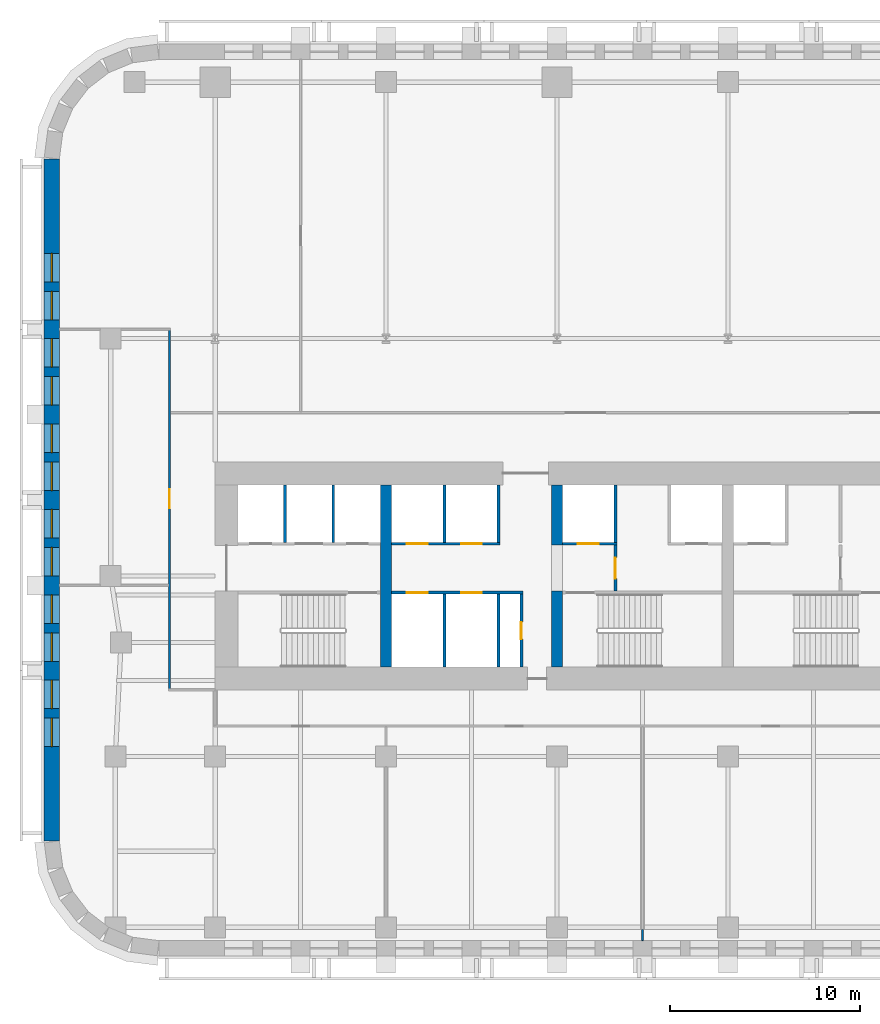
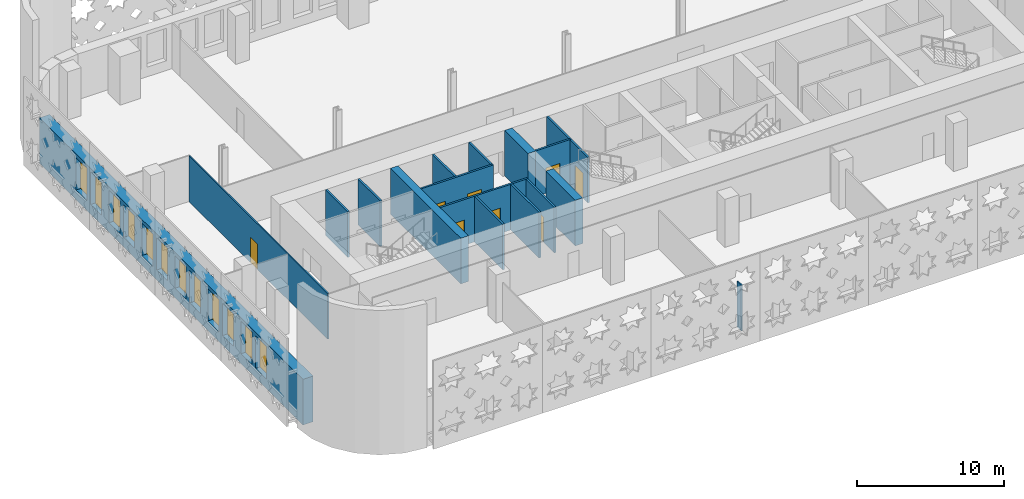
# One storey, part 3 of 13: 18 walls, 12 windows, 8 doors, 20 openings.
"""IFC4 building model written with IfcOpenShell, lengths in metres."""

from ifc_helpers import new_model, si_unit, direction, frame, frame_2d, origin, place, context, subcontext, project, spatial, rectangle, extrude, material, layer, layer_set, type_object, element, fill, save


model = new_model("IFC4")

# Units and contexts
model_context = context("Model", 3, precision=1e-05, world=origin(), true_north=direction((0.0, 1.0)))
body_context = subcontext(model_context, "Body", "Model", "MODEL_VIEW")
ifc_project = project(units=[si_unit("LENGTHUNIT", "METRE"), si_unit("AREAUNIT", "SQUARE_METRE"), si_unit("VOLUMEUNIT", "CUBIC_METRE"), si_unit("PLANEANGLEUNIT", "RADIAN"), si_unit("MASSUNIT", "GRAM", prefix="KILO")], contexts=[model_context])

# Site, building, storey
site_placement = place(None, origin())
site = spatial("IfcSite", under=ifc_project, at=site_placement, CompositionType="ELEMENT")
building_placement = place(site_placement, origin())
building = spatial("IfcBuilding", under=site, at=building_placement, Name="Zellij Exchange Tower", CompositionType="ELEMENT")
storey_placement = place(building_placement, frame((0.0, 0.0, 52.5)))
storey = spatial("IfcBuildingStorey", under=building, at=storey_placement, Name="L09", CompositionType="ELEMENT", Elevation=52.5)

# Walls
ifc_material_1 = material(Name="Concrete C70/85", Category="concrete")
ifc_layer_1 = layer(ifc_material_1, 0.60009765625)
ifc_layer_set_1 = layer_set([ifc_layer_1], Name="Concrete C70/85")
wall_type_1 = type_object("IfcWallType", Name="CORE-CW 600 C70/85", PredefinedType="SHEAR", material=ifc_layer_set_1)
wall_1_placement = place(storey_placement, frame((-18.0, -12.800048828125, 0.0), z_axis=(0.0, 0.0, 1.0), x_axis=(0.0, 1.0, 0.0)))
element("IfcWall", 1, at=wall_1_placement, inside=storey, type_object=wall_type_1, Name="Core cross wall x -18 L09", PredefinedType="SHEAR", context=body_context, shape_type="SweptSolid", body=[
    extrude(rectangle(XDim=9.60009765625, YDim=0.60009765625, at=frame_2d((4.800048828125, 0.0))), origin(), (0.0, 0.0, 1.0), 3.800048828125),
])
wall_2_placement = place(storey_placement, frame((-9.0, -12.800048828125, 0.0), z_axis=(0.0, 0.0, 1.0), x_axis=(0.0, 1.0, 0.0)))
element("IfcWall", 2, at=wall_2_placement, inside=storey, type_object=wall_type_1, Name="Core cross wall pier x -9 a L09", PredefinedType="SHEAR", context=body_context, shape_type="SweptSolid", body=[
    extrude(rectangle(XDim=4.0, YDim=0.60009765625, at=frame_2d((2.0, 0.0))), origin(), (0.0, 0.0, 1.0), 3.800048828125),
])
wall_3_placement = place(storey_placement, frame((-9.0, -6.375, 0.0), z_axis=(0.0, 0.0, 1.0), x_axis=(0.0, 1.0, 0.0)))
element("IfcWall", 3, at=wall_3_placement, inside=storey, type_object=wall_type_1, Name="Core cross wall pier x -9 b L09", PredefinedType="SHEAR", context=body_context, shape_type="SweptSolid", body=[
    extrude(rectangle(XDim=3.175048828125, YDim=0.60009765625, at=frame_2d((1.58740234375, 0.0))), origin(), (0.0, 0.0, 1.0), 3.800048828125),
])

# Wall, opening, door
ifc_material_2 = material(Name="Gypsum shaft wall system")
ifc_layer_2 = layer(ifc_material_2, 0.14990234375)
ifc_layer_set_2 = layer_set([ifc_layer_2], Name="Gypsum shaft wall system")
wall_type_2 = type_object("IfcWallType", Name="CORE-PW 150 Firefighting lobby wall", PredefinedType="PARTITIONING", material=ifc_layer_set_2)
wall_4_placement = place(storey_placement, frame((-5.925048828125, -8.800048828125, 0.0), z_axis=(0.0, 0.0, 1.0), x_axis=(0.0, 1.0, 0.0)))
wall_4 = element("IfcWall", 4, at=wall_4_placement, inside=storey, type_object=wall_type_2, Name="Firefighting lobby wall L09", PredefinedType="PARTITIONING", context=body_context, shape_type="SweptSolid", body=[
    extrude(rectangle(XDim=2.425048828125, YDim=0.14990234375, at=frame_2d((1.21240234375, 0.0))), origin(), (0.0, 0.0, 1.0), 3.800048828125),
])
opening_1_placement = place(wall_4_placement, frame((0.662109375, 0.0, 0.0)))
opening_1 = element("IfcOpeningElement", 5, at=opening_1_placement, cuts=wall_4, Name="Opening CA-07.15", PredefinedType="OPENING", context=body_context, shape_type="SweptSolid", body=[
    extrude(rectangle(XDim=1.10009765625, YDim=2.10009765625, at=frame_2d((0.550048828125, 1.050048828125))), frame((0.0, 0.0869140625, 0.0), z_axis=(0.0, -1.0, 0.0), x_axis=(1.0, 0.0, 0.0)), (0.0, 0.0, 1.0), 0.173828125),
])
ifc_material_3 = material(Name="Hollow metal fire door")
door_type_1 = type_object("IfcDoorType", Name="CORE-D F Firefighting lobby door 1100x2100 1 HR", OperationType="NOTDEFINED", PredefinedType="DOOR", material=ifc_material_3)
door_1_placement = place(opening_1_placement, origin())
door_1 = element("IfcDoor", 6, at=door_1_placement, inside=storey, type_object=door_type_1, Name="Firefighting lobby door CA-07.15", OperationType="SINGLE_SWING_LEFT", OverallHeight=2.10009765625, OverallWidth=1.10009765625, PredefinedType="DOOR", context=body_context, shape_type="SweptSolid", body=[
    extrude(rectangle(XDim=1.10009765625, YDim=2.10009765625, at=frame_2d((0.550048828125, 1.050048828125))), frame((0.0, 0.02490234375, 0.0), z_axis=(0.0, -1.0, 0.0), x_axis=(1.0, 0.0, 0.0)), (0.0, 0.0, 1.0), 0.050048828125),
])
fill(opening_1, door_1)

ifc_material_4 = material(Name="Gypsum board partition")
ifc_layer_3 = layer(ifc_material_4, 0.14990234375)
ifc_layer_set_3 = layer_set([ifc_layer_3], Name="Gypsum board partition")
wall_type_3 = type_object("IfcWallType", Name="CORE-PW 150 Lift lobby wall", PredefinedType="PARTITIONING", material=ifc_layer_set_3)
wall_5_placement = place(storey_placement, frame((-10.875, -12.800048828125, 0.0), z_axis=(0.0, 0.0, 1.0), x_axis=(0.0, 1.0, 0.0)))
wall_5 = element("IfcWall", 7, at=wall_5_placement, inside=storey, type_object=wall_type_3, Name="Lift lobby wall L09", PredefinedType="PARTITIONING", context=body_context, shape_type="SweptSolid", body=[
    extrude(rectangle(XDim=3.85009765625, YDim=0.14990234375, at=frame_2d((1.925048828125, 0.0))), origin(), (0.0, 0.0, 1.0), 3.800048828125),
])
opening_2_placement = place(wall_5_placement, frame((1.47509765625, 0.0, 0.0)))
opening_2 = element("IfcOpeningElement", 8, at=opening_2_placement, cuts=wall_5, Name="Opening CA-07.10", PredefinedType="OPENING", context=body_context, shape_type="SweptSolid", body=[
    extrude(rectangle(XDim=0.89990234375, YDim=2.10009765625, at=frame_2d((0.449951171875, 1.050048828125))), frame((0.0, 0.0869140625, 0.0), z_axis=(0.0, -1.0, 0.0), x_axis=(1.0, 0.0, 0.0)), (0.0, 0.0, 1.0), 0.173828125),
])
door_type_2 = type_object("IfcDoorType", Name="CORE-D RD Riser door 900x2100 1.5 HR", OperationType="NOTDEFINED", PredefinedType="DOOR", material=ifc_material_3)
door_2_placement = place(opening_2_placement, origin())
door_2 = element("IfcDoor", 9, at=door_2_placement, inside=storey, type_object=door_type_2, Name="Riser door CA-07.10", OperationType="SINGLE_SWING_RIGHT", OverallHeight=2.10009765625, OverallWidth=0.89990234375, PredefinedType="DOOR", context=body_context, shape_type="SweptSolid", body=[
    extrude(rectangle(XDim=0.89990234375, YDim=2.10009765625, at=frame_2d((0.449951171875, 1.050048828125))), frame((0.0, 0.02490234375, 0.0), z_axis=(0.0, -1.0, 0.0), x_axis=(1.0, 0.0, 0.0)), (0.0, 0.0, 1.0), 0.050048828125),
])
fill(opening_2, door_2)

# Walls
ifc_layer_4 = layer(ifc_material_2, 0.14990234375)
ifc_layer_set_4 = layer_set([ifc_layer_4], Name="Gypsum shaft wall system")
wall_type_4 = type_object("IfcWallType", Name="CORE-PW 150 Lift shaft wall", PredefinedType="PARTITIONING", material=ifc_layer_set_4)
for number, where, z_axis, x_axis, name in (
    (10, (-20.77490234375, -6.22509765625, 0.0), (0.0, 0.0, 1.0), (0.0, 1.0, 0.0), "Lift shaft wall L09"),
    (11, (-23.324951171875, -6.22509765625, 0.0), (0.0, 0.0, 1.0), (0.0, 1.0, 0.0), "Lift shaft wall L09"),
    (12, (-12.074951171875, -6.22509765625, 0.0), (0.0, 0.0, 1.0), (0.0, 1.0, 0.0), "Lift shaft wall L09"),
    (13, (-14.925048828125, -6.22509765625, 0.0), (0.0, 0.0, 1.0), (0.0, 1.0, 0.0), "Lift shaft wall L09"),
    (14, (-5.925048828125, -6.22509765625, 0.0), (0.0, 0.0, 1.0), (0.0, 1.0, 0.0), "Lift shaft wall L09"),
):
    element("IfcWall", number, at=place(storey_placement, frame(where, z_axis=z_axis, x_axis=x_axis)), inside=storey, type_object=wall_type_4, Name=name, PredefinedType="PARTITIONING", context=body_context, shape_type="SweptSolid", body=[
        extrude(rectangle(XDim=3.025146484375, YDim=0.14990234375, at=frame_2d((1.5126953125, 0.0))), origin(), (0.0, 0.0, 1.0), 3.800048828125),
    ])
for number, where, z_axis, x_axis, name in (
    (15, (-12.074951171875, -12.800048828125, 0.0), (0.0, 0.0, 1.0), (0.0, 1.0, 0.0), "Lift shaft wall L09"),
    (16, (-14.925048828125, -12.800048828125, 0.0), (0.0, 0.0, 1.0), (0.0, 1.0, 0.0), "Lift shaft wall L09"),
):
    element("IfcWall", number, at=place(storey_placement, frame(where, z_axis=z_axis, x_axis=x_axis)), inside=storey, type_object=wall_type_4, Name=name, PredefinedType="PARTITIONING", context=body_context, shape_type="SweptSolid", body=[
        extrude(rectangle(XDim=3.85009765625, YDim=0.14990234375, at=frame_2d((1.925048828125, 0.0))), origin(), (0.0, 0.0, 1.0), 3.800048828125),
    ])

# Wall, openings, doors
wall_6_placement = place(storey_placement, frame((-17.699951171875, -6.300048828125, 0.0), z_axis=(0.0, 0.0, 1.0), x_axis=(1.0, 0.0, 0.0)))
wall_6 = element("IfcWall", 17, at=wall_6_placement, inside=storey, type_object=wall_type_4, Name="Lift shaft wall L09", PredefinedType="PARTITIONING", context=body_context, shape_type="SweptSolid", body=[
    extrude(rectangle(XDim=5.699951171875, YDim=0.14990234375, at=frame_2d((2.85009765625, 0.0))), origin(), (0.0, 0.0, 1.0), 3.800048828125),
])
opening_3_placement = place(wall_6_placement, frame((0.800048828125, 0.0, 0.0)))
opening_3 = element("IfcOpeningElement", 18, at=opening_3_placement, cuts=wall_6, Name="Opening CA-07.07", PredefinedType="OPENING", context=body_context, shape_type="SweptSolid", body=[
    extrude(rectangle(XDim=1.10009765625, YDim=2.10009765625, at=frame_2d((0.550048828125, 1.050048828125))), frame((0.0, 0.0869140625, 0.0), z_axis=(0.0, -1.0, 0.0), x_axis=(1.0, 0.0, 0.0)), (0.0, 0.0, 1.0), 0.173828125),
])
opening_4_placement = place(wall_6_placement, frame((3.64990234375, 0.0, 0.0)))
opening_4 = element("IfcOpeningElement", 19, at=opening_4_placement, cuts=wall_6, Name="Opening CA-07.09", PredefinedType="OPENING", context=body_context, shape_type="SweptSolid", body=[
    extrude(rectangle(XDim=1.10009765625, YDim=2.10009765625, at=frame_2d((0.550048828125, 1.050048828125))), frame((0.0, 0.0869140625, 0.0), z_axis=(0.0, -1.0, 0.0), x_axis=(1.0, 0.0, 0.0)), (0.0, 0.0, 1.0), 0.173828125),
])
door_type_3 = type_object("IfcDoorType", Name="CORE-D LD Lift landing door 1100x2100 1.5 HR", OperationType="NOTDEFINED", PredefinedType="DOOR", material=ifc_material_3)
door_3_placement = place(opening_3_placement, origin())
door_3 = element("IfcDoor", 20, at=door_3_placement, inside=storey, type_object=door_type_3, Name="Lift landing door CA-07.07", OperationType="SLIDING_TO_LEFT", OverallHeight=2.10009765625, OverallWidth=1.10009765625, PredefinedType="DOOR", context=body_context, shape_type="SweptSolid", body=[
    extrude(rectangle(XDim=1.10009765625, YDim=2.10009765625, at=frame_2d((0.550048828125, 1.050048828125))), frame((0.0, 0.02490234375, 0.0), z_axis=(0.0, -1.0, 0.0), x_axis=(1.0, 0.0, 0.0)), (0.0, 0.0, 1.0), 0.050048828125),
])
fill(opening_3, door_3)
door_4_placement = place(opening_4_placement, origin())
door_4 = element("IfcDoor", 21, at=door_4_placement, inside=storey, type_object=door_type_3, Name="Lift landing door CA-07.09", OperationType="SLIDING_TO_LEFT", OverallHeight=2.10009765625, OverallWidth=1.10009765625, PredefinedType="DOOR", context=body_context, shape_type="SweptSolid", body=[
    extrude(rectangle(XDim=1.10009765625, YDim=2.10009765625, at=frame_2d((0.550048828125, 1.050048828125))), frame((0.0, 0.02490234375, 0.0), z_axis=(0.0, -1.0, 0.0), x_axis=(1.0, 0.0, 0.0)), (0.0, 0.0, 1.0), 0.050048828125),
])
fill(opening_4, door_4)

# Wall, opening, door
wall_7_placement = place(storey_placement, frame((-8.699951171875, -6.300048828125, 0.0), z_axis=(0.0, 0.0, 1.0), x_axis=(1.0, 0.0, 0.0)))
wall_7 = element("IfcWall", 22, at=wall_7_placement, inside=storey, type_object=wall_type_4, Name="Lift shaft wall L09", PredefinedType="PARTITIONING", context=body_context, shape_type="SweptSolid", body=[
    extrude(rectangle(XDim=2.849853515625, YDim=0.14990234375, at=frame_2d((1.4248046875, 0.0))), origin(), (0.0, 0.0, 1.0), 3.800048828125),
])
opening_5_placement = place(wall_7_placement, frame((0.800048828125, 0.0, 0.0)))
opening_5 = element("IfcOpeningElement", 23, at=opening_5_placement, cuts=wall_7, Name="Opening CA-07.14", PredefinedType="OPENING", context=body_context, shape_type="SweptSolid", body=[
    extrude(rectangle(XDim=1.10009765625, YDim=2.10009765625, at=frame_2d((0.550048828125, 1.050048828125))), frame((0.0, 0.0869140625, 0.0), z_axis=(0.0, -1.0, 0.0), x_axis=(1.0, 0.0, 0.0)), (0.0, 0.0, 1.0), 0.173828125),
])
door_5_placement = place(opening_5_placement, origin())
door_5 = element("IfcDoor", 24, at=door_5_placement, inside=storey, type_object=door_type_3, Name="Lift landing door CA-07.14", OperationType="SLIDING_TO_RIGHT", OverallHeight=2.10009765625, OverallWidth=1.10009765625, PredefinedType="DOOR", context=body_context, shape_type="SweptSolid", body=[
    extrude(rectangle(XDim=1.10009765625, YDim=2.10009765625, at=frame_2d((0.550048828125, 1.050048828125))), frame((0.0, 0.02490234375, 0.0), z_axis=(0.0, -1.0, 0.0), x_axis=(1.0, 0.0, 0.0)), (0.0, 0.0, 1.0), 0.050048828125),
])
fill(opening_5, door_5)

# Wall, openings, doors
wall_8_placement = place(storey_placement, frame((-17.699951171875, -8.875, 0.0), z_axis=(0.0, 0.0, 1.0), x_axis=(1.0, 0.0, 0.0)))
wall_8 = element("IfcWall", 25, at=wall_8_placement, inside=storey, type_object=wall_type_4, Name="Lift shaft wall L09", PredefinedType="PARTITIONING", context=body_context, shape_type="SweptSolid", body=[
    extrude(rectangle(XDim=6.89990234375, YDim=0.14990234375, at=frame_2d((3.449951171875, 0.0))), origin(), (0.0, 0.0, 1.0), 3.800048828125),
])
opening_6_placement = place(wall_8_placement, frame((0.800048828125, 0.0, 0.0)))
opening_6 = element("IfcOpeningElement", 26, at=opening_6_placement, cuts=wall_8, Name="Opening CA-07.06", PredefinedType="OPENING", context=body_context, shape_type="SweptSolid", body=[
    extrude(rectangle(XDim=1.10009765625, YDim=2.10009765625, at=frame_2d((0.550048828125, 1.050048828125))), frame((0.0, 0.0869140625, 0.0), z_axis=(0.0, -1.0, 0.0), x_axis=(1.0, 0.0, 0.0)), (0.0, 0.0, 1.0), 0.173828125),
])
opening_7_placement = place(wall_8_placement, frame((3.64990234375, 0.0, 0.0)))
opening_7 = element("IfcOpeningElement", 27, at=opening_7_placement, cuts=wall_8, Name="Opening CA-07.08", PredefinedType="OPENING", context=body_context, shape_type="SweptSolid", body=[
    extrude(rectangle(XDim=1.10009765625, YDim=2.10009765625, at=frame_2d((0.550048828125, 1.050048828125))), frame((0.0, 0.0869140625, 0.0), z_axis=(0.0, -1.0, 0.0), x_axis=(1.0, 0.0, 0.0)), (0.0, 0.0, 1.0), 0.173828125),
])
door_6_placement = place(opening_6_placement, origin())
door_6 = element("IfcDoor", 28, at=door_6_placement, inside=storey, type_object=door_type_3, Name="Lift landing door CA-07.06", OperationType="SLIDING_TO_RIGHT", OverallHeight=2.10009765625, OverallWidth=1.10009765625, PredefinedType="DOOR", context=body_context, shape_type="SweptSolid", body=[
    extrude(rectangle(XDim=1.10009765625, YDim=2.10009765625, at=frame_2d((0.550048828125, 1.050048828125))), frame((0.0, 0.02490234375, 0.0), z_axis=(0.0, -1.0, 0.0), x_axis=(1.0, 0.0, 0.0)), (0.0, 0.0, 1.0), 0.050048828125),
])
fill(opening_6, door_6)
door_7_placement = place(opening_7_placement, origin())
door_7 = element("IfcDoor", 29, at=door_7_placement, inside=storey, type_object=door_type_3, Name="Lift landing door CA-07.08", OperationType="SLIDING_TO_RIGHT", OverallHeight=2.10009765625, OverallWidth=1.10009765625, PredefinedType="DOOR", context=body_context, shape_type="SweptSolid", body=[
    extrude(rectangle(XDim=1.10009765625, YDim=2.10009765625, at=frame_2d((0.550048828125, 1.050048828125))), frame((0.0, 0.02490234375, 0.0), z_axis=(0.0, -1.0, 0.0), x_axis=(1.0, 0.0, 0.0)), (0.0, 0.0, 1.0), 0.050048828125),
])
fill(opening_7, door_7)

# Wall, openings, windows
ifc_material_5 = material(Name="Precast concrete C40/50", Category="concrete")
ifc_layer_5 = layer(ifc_material_5, 0.800048828125)
ifc_layer_set_5 = layer_set([ifc_layer_5], Name="Precast concrete C40/50")
wall_type_5 = type_object("IfcWallType", Name="ENV-EW1 Precast stone-piered wall 800", PredefinedType="SOLIDWALL", material=ifc_layer_set_5)
wall_9_placement = place(storey_placement, frame((-35.60009765625, 13.947509765625, 0.0), z_axis=(0.0, 0.0, 1.0), x_axis=(0.0, -1.0, 0.0)))
wall_9 = element("IfcWall", 30, at=wall_9_placement, inside=storey, type_object=wall_type_5, Name="fac.L09.21", PredefinedType="SOLIDWALL", context=body_context, shape_type="SweptSolid", body=[
    extrude(rectangle(XDim=35.89501953125, YDim=0.800048828125, at=frame_2d((17.947509765625, 0.0))), origin(), (0.0, 0.0, 1.0), 3.800048828125),
])
opening_8_placement = place(wall_9_placement, frame((4.9638671875, 0.0, 0.800048828125)))
opening_8 = element("IfcOpeningElement", 31, at=opening_8_placement, cuts=wall_9, Name="Opening FZ1.61", PredefinedType="OPENING", context=body_context, shape_type="SweptSolid", body=[
    extrude(rectangle(XDim=1.5, YDim=2.699951171875, at=frame_2d((0.75, 1.35009765625))), frame((0.0, 0.412109375, 0.0), z_axis=(0.0, -1.0, 0.0), x_axis=(1.0, 0.0, 0.0)), (0.0, 0.0, 1.0), 0.823974609375),
])
opening_9_placement = place(wall_9_placement, frame((6.9638671875, 0.0, 0.800048828125)))
opening_9 = element("IfcOpeningElement", 32, at=opening_9_placement, cuts=wall_9, Name="Opening FZ1.62", PredefinedType="OPENING", context=body_context, shape_type="SweptSolid", body=[
    extrude(rectangle(XDim=1.5, YDim=2.699951171875, at=frame_2d((0.75, 1.35009765625))), frame((0.0, 0.412109375, 0.0), z_axis=(0.0, -1.0, 0.0), x_axis=(1.0, 0.0, 0.0)), (0.0, 0.0, 1.0), 0.823974609375),
])
opening_10_placement = place(wall_9_placement, frame((9.45751953125, 0.0, 0.800048828125)))
opening_10 = element("IfcOpeningElement", 33, at=opening_10_placement, cuts=wall_9, Name="Opening FZ1.63", PredefinedType="OPENING", context=body_context, shape_type="SweptSolid", body=[
    extrude(rectangle(XDim=1.5, YDim=2.699951171875, at=frame_2d((0.75, 1.35009765625))), frame((0.0, 0.412109375, 0.0), z_axis=(0.0, -1.0, 0.0), x_axis=(1.0, 0.0, 0.0)), (0.0, 0.0, 1.0), 0.823974609375),
])
opening_11_placement = place(wall_9_placement, frame((11.45751953125, 0.0, 0.800048828125)))
opening_11 = element("IfcOpeningElement", 34, at=opening_11_placement, cuts=wall_9, Name="Opening FZ1.64", PredefinedType="OPENING", context=body_context, shape_type="SweptSolid", body=[
    extrude(rectangle(XDim=1.5, YDim=2.699951171875, at=frame_2d((0.75, 1.35009765625))), frame((0.0, 0.412109375, 0.0), z_axis=(0.0, -1.0, 0.0), x_axis=(1.0, 0.0, 0.0)), (0.0, 0.0, 1.0), 0.823974609375),
])
opening_12_placement = place(wall_9_placement, frame((13.950927734375, 0.0, 0.800048828125)))
opening_12 = element("IfcOpeningElement", 35, at=opening_12_placement, cuts=wall_9, Name="Opening FZ1.65", PredefinedType="OPENING", context=body_context, shape_type="SweptSolid", body=[
    extrude(rectangle(XDim=1.5, YDim=2.699951171875, at=frame_2d((0.75, 1.35009765625))), frame((0.0, 0.412109375, 0.0), z_axis=(0.0, -1.0, 0.0), x_axis=(1.0, 0.0, 0.0)), (0.0, 0.0, 1.0), 0.823974609375),
])
opening_13_placement = place(wall_9_placement, frame((15.95068359375, 0.0, 0.800048828125)))
opening_13 = element("IfcOpeningElement", 36, at=opening_13_placement, cuts=wall_9, Name="Opening FZ1.66", PredefinedType="OPENING", context=body_context, shape_type="SweptSolid", body=[
    extrude(rectangle(XDim=1.5, YDim=2.699951171875, at=frame_2d((0.75, 1.35009765625))), frame((0.0, 0.412109375, 0.0), z_axis=(0.0, -1.0, 0.0), x_axis=(1.0, 0.0, 0.0)), (0.0, 0.0, 1.0), 0.823974609375),
])
opening_14_placement = place(wall_9_placement, frame((18.4443359375, 0.0, 0.800048828125)))
opening_14 = element("IfcOpeningElement", 37, at=opening_14_placement, cuts=wall_9, Name="Opening FZ1.67", PredefinedType="OPENING", context=body_context, shape_type="SweptSolid", body=[
    extrude(rectangle(XDim=1.5, YDim=2.699951171875, at=frame_2d((0.75, 1.35009765625))), frame((0.0, 0.412109375, 0.0), z_axis=(0.0, -1.0, 0.0), x_axis=(1.0, 0.0, 0.0)), (0.0, 0.0, 1.0), 0.823974609375),
])
opening_15_placement = place(wall_9_placement, frame((20.4443359375, 0.0, 0.800048828125)))
opening_15 = element("IfcOpeningElement", 38, at=opening_15_placement, cuts=wall_9, Name="Opening FZ1.68", PredefinedType="OPENING", context=body_context, shape_type="SweptSolid", body=[
    extrude(rectangle(XDim=1.5, YDim=2.699951171875, at=frame_2d((0.75, 1.35009765625))), frame((0.0, 0.412109375, 0.0), z_axis=(0.0, -1.0, 0.0), x_axis=(1.0, 0.0, 0.0)), (0.0, 0.0, 1.0), 0.823974609375),
])
opening_16_placement = place(wall_9_placement, frame((22.937744140625, 0.0, 0.800048828125)))
opening_16 = element("IfcOpeningElement", 39, at=opening_16_placement, cuts=wall_9, Name="Opening FZ1.69", PredefinedType="OPENING", context=body_context, shape_type="SweptSolid", body=[
    extrude(rectangle(XDim=1.5, YDim=2.699951171875, at=frame_2d((0.75, 1.35009765625))), frame((0.0, 0.412109375, 0.0), z_axis=(0.0, -1.0, 0.0), x_axis=(1.0, 0.0, 0.0)), (0.0, 0.0, 1.0), 0.823974609375),
])
opening_17_placement = place(wall_9_placement, frame((24.937744140625, 0.0, 0.800048828125)))
opening_17 = element("IfcOpeningElement", 40, at=opening_17_placement, cuts=wall_9, Name="Opening FZ1.70", PredefinedType="OPENING", context=body_context, shape_type="SweptSolid", body=[
    extrude(rectangle(XDim=1.5, YDim=2.699951171875, at=frame_2d((0.75, 1.35009765625))), frame((0.0, 0.412109375, 0.0), z_axis=(0.0, -1.0, 0.0), x_axis=(1.0, 0.0, 0.0)), (0.0, 0.0, 1.0), 0.823974609375),
])
opening_18_placement = place(wall_9_placement, frame((27.43115234375, 0.0, 0.800048828125)))
opening_18 = element("IfcOpeningElement", 41, at=opening_18_placement, cuts=wall_9, Name="Opening FZ1.71", PredefinedType="OPENING", context=body_context, shape_type="SweptSolid", body=[
    extrude(rectangle(XDim=1.5, YDim=2.699951171875, at=frame_2d((0.75, 1.35009765625))), frame((0.0, 0.412109375, 0.0), z_axis=(0.0, -1.0, 0.0), x_axis=(1.0, 0.0, 0.0)), (0.0, 0.0, 1.0), 0.823974609375),
])
opening_19_placement = place(wall_9_placement, frame((29.43115234375, 0.0, 0.800048828125)))
opening_19 = element("IfcOpeningElement", 42, at=opening_19_placement, cuts=wall_9, Name="Opening FZ1.72", PredefinedType="OPENING", context=body_context, shape_type="SweptSolid", body=[
    extrude(rectangle(XDim=1.5, YDim=2.699951171875, at=frame_2d((0.75, 1.35009765625))), frame((0.0, 0.412109375, 0.0), z_axis=(0.0, -1.0, 0.0), x_axis=(1.0, 0.0, 0.0)), (0.0, 0.0, 1.0), 0.823974609375),
])
ifc_material_6 = material(Name="Aluminium frame with insulating glass", Category="aluminium")
window_type = type_object("IfcWindowType", Name="ENV-W6 Window 1500x2700", PartitioningType="SINGLE_PANEL", PredefinedType="WINDOW", material=ifc_material_6)
window_1_placement = place(opening_8_placement, origin())
window_1 = element("IfcWindow", 43, at=window_1_placement, inside=storey, type_object=window_type, Name="Window FZ1.61", OverallHeight=2.699951171875, OverallWidth=1.5, PartitioningType="SINGLE_PANEL", PredefinedType="WINDOW", context=body_context, shape_type="SweptSolid", body=[
    extrude(rectangle(XDim=1.5, YDim=2.699951171875, at=frame_2d((0.75, 1.35009765625))), frame((0.0, 0.030029296875, 0.0), z_axis=(0.0, -1.0, 0.0), x_axis=(1.0, 0.0, 0.0)), (0.0, 0.0, 1.0), 0.06005859375),
])
fill(opening_8, window_1)
window_2_placement = place(opening_9_placement, origin())
window_2 = element("IfcWindow", 44, at=window_2_placement, inside=storey, type_object=window_type, Name="Window FZ1.62", OverallHeight=2.699951171875, OverallWidth=1.5, PartitioningType="SINGLE_PANEL", PredefinedType="WINDOW", context=body_context, shape_type="SweptSolid", body=[
    extrude(rectangle(XDim=1.5, YDim=2.699951171875, at=frame_2d((0.75, 1.35009765625))), frame((0.0, 0.030029296875, 0.0), z_axis=(0.0, -1.0, 0.0), x_axis=(1.0, 0.0, 0.0)), (0.0, 0.0, 1.0), 0.06005859375),
])
fill(opening_9, window_2)
window_3_placement = place(opening_10_placement, origin())
window_3 = element("IfcWindow", 45, at=window_3_placement, inside=storey, type_object=window_type, Name="Window FZ1.63", OverallHeight=2.699951171875, OverallWidth=1.5, PartitioningType="SINGLE_PANEL", PredefinedType="WINDOW", context=body_context, shape_type="SweptSolid", body=[
    extrude(rectangle(XDim=1.5, YDim=2.699951171875, at=frame_2d((0.75, 1.35009765625))), frame((0.0, 0.030029296875, 0.0), z_axis=(0.0, -1.0, 0.0), x_axis=(1.0, 0.0, 0.0)), (0.0, 0.0, 1.0), 0.06005859375),
])
fill(opening_10, window_3)
window_4_placement = place(opening_11_placement, origin())
window_4 = element("IfcWindow", 46, at=window_4_placement, inside=storey, type_object=window_type, Name="Window FZ1.64", OverallHeight=2.699951171875, OverallWidth=1.5, PartitioningType="SINGLE_PANEL", PredefinedType="WINDOW", context=body_context, shape_type="SweptSolid", body=[
    extrude(rectangle(XDim=1.5, YDim=2.699951171875, at=frame_2d((0.75, 1.35009765625))), frame((0.0, 0.030029296875, 0.0), z_axis=(0.0, -1.0, 0.0), x_axis=(1.0, 0.0, 0.0)), (0.0, 0.0, 1.0), 0.06005859375),
])
fill(opening_11, window_4)
window_5_placement = place(opening_12_placement, origin())
window_5 = element("IfcWindow", 47, at=window_5_placement, inside=storey, type_object=window_type, Name="Window FZ1.65", OverallHeight=2.699951171875, OverallWidth=1.5, PartitioningType="SINGLE_PANEL", PredefinedType="WINDOW", context=body_context, shape_type="SweptSolid", body=[
    extrude(rectangle(XDim=1.5, YDim=2.699951171875, at=frame_2d((0.75, 1.35009765625))), frame((0.0, 0.030029296875, 0.0), z_axis=(0.0, -1.0, 0.0), x_axis=(1.0, 0.0, 0.0)), (0.0, 0.0, 1.0), 0.06005859375),
])
fill(opening_12, window_5)
window_6_placement = place(opening_13_placement, origin())
window_6 = element("IfcWindow", 48, at=window_6_placement, inside=storey, type_object=window_type, Name="Window FZ1.66", OverallHeight=2.699951171875, OverallWidth=1.5, PartitioningType="SINGLE_PANEL", PredefinedType="WINDOW", context=body_context, shape_type="SweptSolid", body=[
    extrude(rectangle(XDim=1.5, YDim=2.699951171875, at=frame_2d((0.75, 1.35009765625))), frame((0.0, 0.030029296875, 0.0), z_axis=(0.0, -1.0, 0.0), x_axis=(1.0, 0.0, 0.0)), (0.0, 0.0, 1.0), 0.06005859375),
])
fill(opening_13, window_6)
window_7_placement = place(opening_14_placement, origin())
window_7 = element("IfcWindow", 49, at=window_7_placement, inside=storey, type_object=window_type, Name="Window FZ1.67", OverallHeight=2.699951171875, OverallWidth=1.5, PartitioningType="SINGLE_PANEL", PredefinedType="WINDOW", context=body_context, shape_type="SweptSolid", body=[
    extrude(rectangle(XDim=1.5, YDim=2.699951171875, at=frame_2d((0.75, 1.35009765625))), frame((0.0, 0.030029296875, 0.0), z_axis=(0.0, -1.0, 0.0), x_axis=(1.0, 0.0, 0.0)), (0.0, 0.0, 1.0), 0.06005859375),
])
fill(opening_14, window_7)
window_8_placement = place(opening_15_placement, origin())
window_8 = element("IfcWindow", 50, at=window_8_placement, inside=storey, type_object=window_type, Name="Window FZ1.68", OverallHeight=2.699951171875, OverallWidth=1.5, PartitioningType="SINGLE_PANEL", PredefinedType="WINDOW", context=body_context, shape_type="SweptSolid", body=[
    extrude(rectangle(XDim=1.5, YDim=2.699951171875, at=frame_2d((0.75, 1.35009765625))), frame((0.0, 0.030029296875, 0.0), z_axis=(0.0, -1.0, 0.0), x_axis=(1.0, 0.0, 0.0)), (0.0, 0.0, 1.0), 0.06005859375),
])
fill(opening_15, window_8)
window_9_placement = place(opening_16_placement, origin())
window_9 = element("IfcWindow", 51, at=window_9_placement, inside=storey, type_object=window_type, Name="Window FZ1.69", OverallHeight=2.699951171875, OverallWidth=1.5, PartitioningType="SINGLE_PANEL", PredefinedType="WINDOW", context=body_context, shape_type="SweptSolid", body=[
    extrude(rectangle(XDim=1.5, YDim=2.699951171875, at=frame_2d((0.75, 1.35009765625))), frame((0.0, 0.030029296875, 0.0), z_axis=(0.0, -1.0, 0.0), x_axis=(1.0, 0.0, 0.0)), (0.0, 0.0, 1.0), 0.06005859375),
])
fill(opening_16, window_9)
window_10_placement = place(opening_17_placement, origin())
window_10 = element("IfcWindow", 52, at=window_10_placement, inside=storey, type_object=window_type, Name="Window FZ1.70", OverallHeight=2.699951171875, OverallWidth=1.5, PartitioningType="SINGLE_PANEL", PredefinedType="WINDOW", context=body_context, shape_type="SweptSolid", body=[
    extrude(rectangle(XDim=1.5, YDim=2.699951171875, at=frame_2d((0.75, 1.35009765625))), frame((0.0, 0.030029296875, 0.0), z_axis=(0.0, -1.0, 0.0), x_axis=(1.0, 0.0, 0.0)), (0.0, 0.0, 1.0), 0.06005859375),
])
fill(opening_17, window_10)
window_11_placement = place(opening_18_placement, origin())
window_11 = element("IfcWindow", 53, at=window_11_placement, inside=storey, type_object=window_type, Name="Window FZ1.71", OverallHeight=2.699951171875, OverallWidth=1.5, PartitioningType="SINGLE_PANEL", PredefinedType="WINDOW", context=body_context, shape_type="SweptSolid", body=[
    extrude(rectangle(XDim=1.5, YDim=2.699951171875, at=frame_2d((0.75, 1.35009765625))), frame((0.0, 0.030029296875, 0.0), z_axis=(0.0, -1.0, 0.0), x_axis=(1.0, 0.0, 0.0)), (0.0, 0.0, 1.0), 0.06005859375),
])
fill(opening_18, window_11)
window_12_placement = place(opening_19_placement, origin())
window_12 = element("IfcWindow", 54, at=window_12_placement, inside=storey, type_object=window_type, Name="Window FZ1.72", OverallHeight=2.699951171875, OverallWidth=1.5, PartitioningType="SINGLE_PANEL", PredefinedType="WINDOW", context=body_context, shape_type="SweptSolid", body=[
    extrude(rectangle(XDim=1.5, YDim=2.699951171875, at=frame_2d((0.75, 1.35009765625))), frame((0.0, 0.030029296875, 0.0), z_axis=(0.0, -1.0, 0.0), x_axis=(1.0, 0.0, 0.0)), (0.0, 0.0, 1.0), 0.06005859375),
])
fill(opening_19, window_12)

# Wall
ifc_material_7 = material(Name="Gypsum board partition on steel studs", Category="steel")
ifc_layer_6 = layer(ifc_material_7, 0.10009765625)
ifc_layer_set_6 = layer_set([ifc_layer_6], Name="Gypsum board partition on steel studs")
wall_type_6 = type_object("IfcWallType", Name="FIT-PARTITION-100", PredefinedType="PARTITIONING", material=ifc_layer_set_6)
wall_10_placement = place(storey_placement, frame((-4.5, -27.199951171875, 0.0), z_axis=(0.0, 0.0, 1.0), x_axis=(0.0, 1.0, 0.0)))
element("IfcWall", 55, at=wall_10_placement, inside=storey, type_object=wall_type_6, Name="FIT-PARTITION-100 003", PredefinedType="PARTITIONING", context=body_context, shape_type="SweptSolid", body=[
    extrude(rectangle(XDim=0.58544921875, YDim=0.10009765625, at=frame_2d((0.292724609375, 0.0))), origin(), (0.0, 0.0, 1.0), 3.800048828125),
])

# Wall, opening, door
wall_11_placement = place(storey_placement, frame((-29.39990234375, -13.949951171875, 0.0), z_axis=(0.0, 0.0, 1.0), x_axis=(0.0, 1.0, 0.0)))
wall_11 = element("IfcWall", 56, at=wall_11_placement, inside=storey, type_object=wall_type_6, Name="FIT-PARTITION-100 011", PredefinedType="PARTITIONING", context=body_context, shape_type="SweptSolid", body=[
    extrude(rectangle(XDim=18.889892578125, YDim=0.10009765625, at=frame_2d((9.44482421875, 0.0))), origin(), (0.0, 0.0, 1.0), 3.800048828125),
])
opening_20_placement = place(wall_11_placement, frame((9.510009765625, 0.0, 0.0)))
opening_20 = element("IfcOpeningElement", 57, at=opening_20_placement, cuts=wall_11, Name="Opening TA.06", PredefinedType="OPENING", context=body_context, shape_type="SweptSolid", body=[
    extrude(rectangle(XDim=1.0, YDim=2.10009765625, at=frame_2d((0.5, 1.050048828125))), frame((0.0, 0.06201171875, 0.0), z_axis=(0.0, -1.0, 0.0), x_axis=(1.0, 0.0, 0.0)), (0.0, 0.0, 1.0), 0.1240234375),
])
ifc_material_8 = material(Name="Timber door set", Category="wood")
door_type_4 = type_object("IfcDoorType", Name="FIT-D2-WIDE-1000X2100", OperationType="SINGLE_SWING_LEFT", PredefinedType="DOOR", material=ifc_material_8)
door_8_placement = place(opening_20_placement, origin())
door_8 = element("IfcDoor", 58, at=door_8_placement, inside=storey, type_object=door_type_4, Name="Door TA.06", OperationType="SINGLE_SWING_LEFT", OverallHeight=2.10009765625, OverallWidth=1.0, PredefinedType="DOOR", context=body_context, shape_type="SweptSolid", body=[
    extrude(rectangle(XDim=1.0, YDim=2.10009765625, at=frame_2d((0.5, 1.050048828125))), frame((0.0, 0.02490234375, 0.0), z_axis=(0.0, -1.0, 0.0), x_axis=(1.0, 0.0, 0.0)), (0.0, 0.0, 1.0), 0.050048828125),
])
fill(opening_20, door_8)

save(model, "model.ifc")
